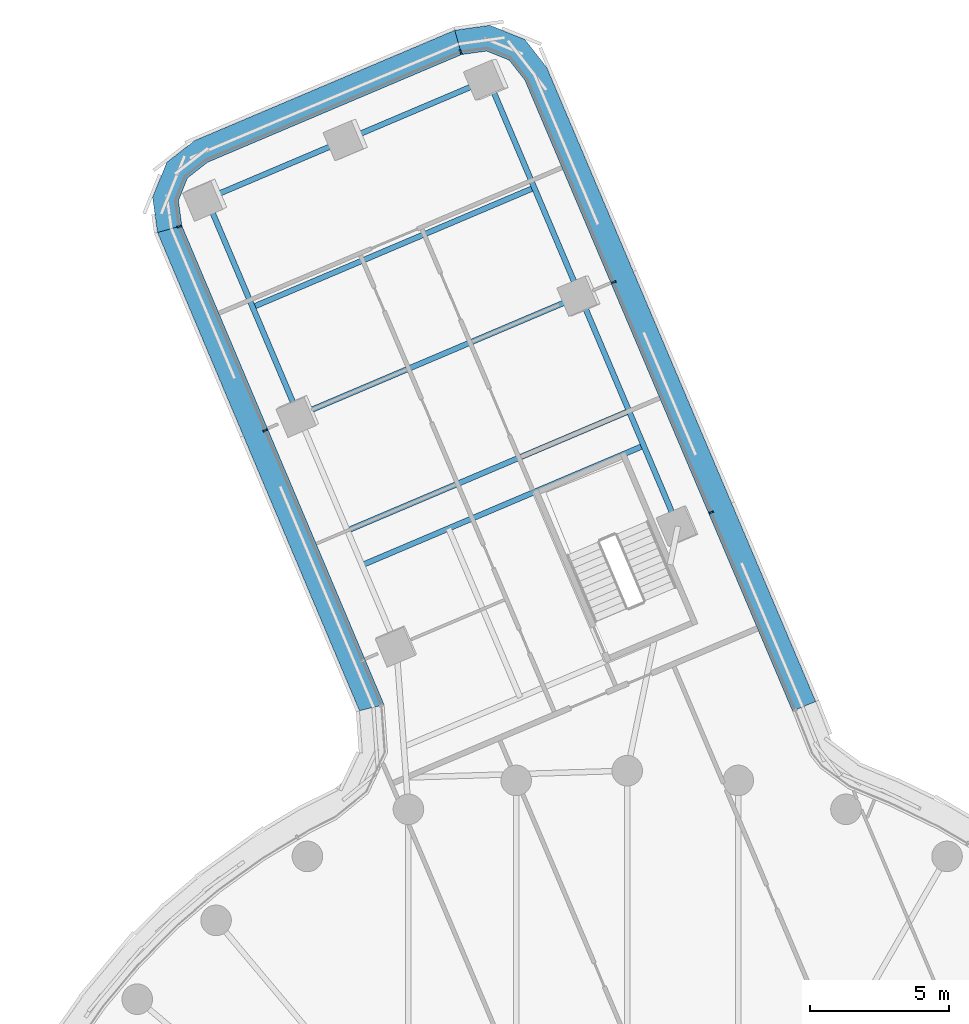
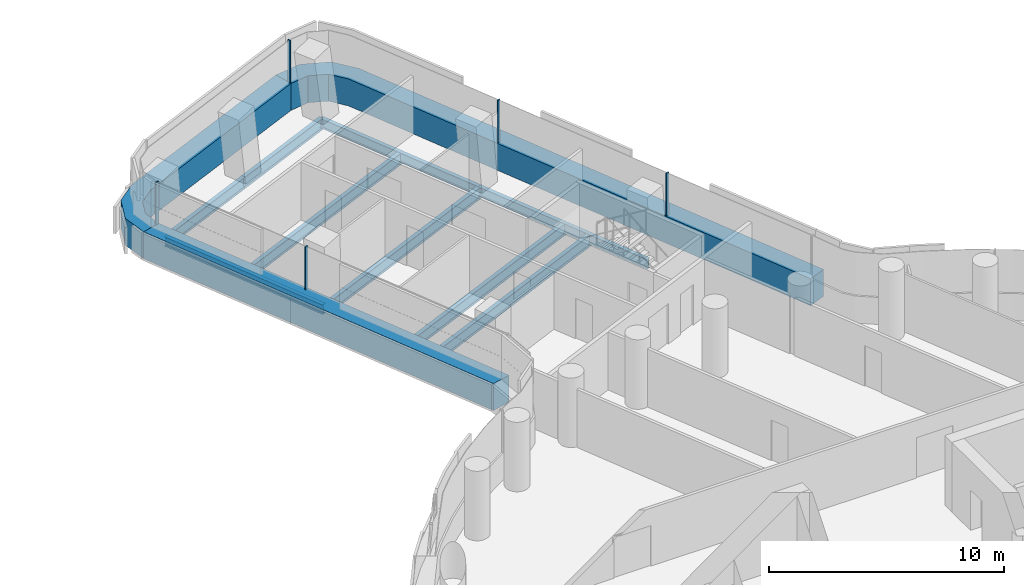
# One storey, part 16 of 35: 9 beams, 8 members, 3 elements without a shape of their own.
"""IFC4 building model written with IfcOpenShell, lengths in metres."""

from ifc_helpers import new_model, si_unit, direction, frame, origin, origin_2d, place, context, subcontext, project, spatial, polyline, rectangle, i_section, outline, extrude, material, layer, layer_set, material_profile, profile_set, type_object, element, aggregate, save


model = new_model("IFC4")

# Units and contexts
model_context = context("Model", 3, precision=1e-05, world=origin(), true_north=direction((0.0, 1.0)))
body_context = subcontext(model_context, "Body", "Model", "MODEL_VIEW")
ifc_project = project(units=[si_unit("LENGTHUNIT", "METRE"), si_unit("AREAUNIT", "SQUARE_METRE"), si_unit("VOLUMEUNIT", "CUBIC_METRE"), si_unit("PLANEANGLEUNIT", "RADIAN"), si_unit("MASSUNIT", "GRAM", prefix="KILO")], contexts=[model_context])

# Site, building, storey
site_placement = place(None, origin())
site = spatial("IfcSite", under=ifc_project, at=site_placement, CompositionType="ELEMENT")
building_placement = place(site_placement, origin())
building = spatial("IfcBuilding", under=site, at=building_placement, Name="Tamarind Cross Interchange Tower", CompositionType="ELEMENT")
storey_placement = place(building_placement, frame((0.0, 0.0, 117.25)))
storey = spatial("IfcBuildingStorey", under=building, at=storey_placement, Name="L28", CompositionType="ELEMENT", Elevation=117.25)

# Beams
ifc_material_1 = material(Name="Steel Q355B", Category="steel")
ifc_material_profile_1 = material_profile(ifc_material_1, i_section(OverallWidth=0.198974609375, OverallDepth=0.49609375, WebThickness=0.009033203125, FlangeThickness=0.013916015625, FilletRadius=0.012939453125, at=origin_2d()), Name="HN 496x199x9x14")
ifc_profile_set_1 = profile_set([ifc_material_profile_1], Name="Steel Q355B")
beam_type_1 = type_object("IfcBeamType", Name="Composite beam HN 496x199x9x14 Q355B", PredefinedType="BEAM", material=ifc_profile_set_1)
beam_1_placement = place(storey_placement, frame((-4.99365234375, 47.856689453125, -0.387939453125), z_axis=(0.390511280317, -0.920598142484, 0.0), x_axis=(0.920598142484, 0.390511280317, 0.0)))
element("IfcBeam", 1, at=beam_1_placement, inside=storey, type_object=beam_type_1, Name="Beam N-edgeem5", PredefinedType="BEAM", context=body_context, shape_type="SweptSolid", body=[
    extrude(i_section(OverallWidth=0.198974609375, OverallDepth=0.49609375, WebThickness=0.009033203125, FlangeThickness=0.013916015625, FilletRadius=0.012939453125, at=origin_2d()), origin(), (0.0, 0.0, 1.0), 8.45361328125),
])
beam_2_placement = place(storey_placement, frame((-1.6923828125, 40.07421875, -0.387939453125), z_axis=(0.390515014713, -0.920596558371, 0.0), x_axis=(0.920596558371, 0.390515014713, 0.0)))
element("IfcBeam", 2, at=beam_2_placement, inside=storey, type_object=beam_type_1, Name="Beam N-edgeem6", PredefinedType="BEAM", context=body_context, shape_type="SweptSolid", body=[
    extrude(i_section(OverallWidth=0.198974609375, OverallDepth=0.49609375, WebThickness=0.009033203125, FlangeThickness=0.013916015625, FilletRadius=0.012939453125, at=origin_2d()), origin(), (0.0, 0.0, 1.0), 9.0),
])
beam_3_placement = place(storey_placement, frame((-15.1201171875, 43.561279296875, -0.387939453125), z_axis=(0.390500898202, -0.920602546435, 0.0), x_axis=(0.920602546435, 0.390500898202, 0.0)))
element("IfcBeam", 3, at=beam_3_placement, inside=storey, type_object=beam_type_1, Name="Beam N-edgeep2", PredefinedType="BEAM", context=body_context, shape_type="SweptSolid", body=[
    extrude(i_section(OverallWidth=0.198974609375, OverallDepth=0.49609375, WebThickness=0.009033203125, FlangeThickness=0.013916015625, FilletRadius=0.012939453125, at=origin_2d()), origin(), (0.0, 0.0, 1.0), 8.453857421875),
])
ifc_material_profile_2 = material_profile(ifc_material_1, i_section(OverallWidth=0.199951171875, OverallDepth=0.60009765625, WebThickness=0.010986328125, FlangeThickness=0.01708984375, FilletRadius=0.012939453125, at=origin_2d()), Name="HN 600x200x11x17")
ifc_profile_set_2 = profile_set([ifc_material_profile_2], Name="Steel Q355B")
beam_type_2 = type_object("IfcBeamType", Name="Composite beam HN 600x200x11x17 Q355B", PredefinedType="BEAM", material=ifc_profile_set_2)
for number, where, z_axis, x_axis, name in (
    (4, (-4.99365234375, 47.856689453125, -0.43994140625), (-0.920603543621, -0.390498547338, 0.0), (0.390498547338, -0.920603543621, 0.0), "Beam N-tip0"),
    (5, (-10.056884765625, 45.708984375, -0.43994140625), (-0.920603543621, -0.390498547338, 0.0), (0.390498547338, -0.920603543621, 0.0), "Beam N-tip1"),
):
    element("IfcBeam", number, at=place(storey_placement, frame(where, z_axis=z_axis, x_axis=x_axis)), inside=storey, type_object=beam_type_2, Name=name, PredefinedType="BEAM", context=body_context, shape_type="SweptSolid", body=[
        extrude(i_section(OverallWidth=0.199951171875, OverallDepth=0.60009765625, WebThickness=0.010986328125, FlangeThickness=0.01708984375, FilletRadius=0.012939453125, at=origin_2d()), origin(), (0.0, 0.0, 1.0), 5.5),
    ])
for number, where, z_axis, x_axis, name in (
    (6, (0.592041015625, 34.688720703125, -0.43994140625), (-0.920595564527, -0.390517357583, 0.0), (0.390517357583, -0.920595564527, 0.0), "Beam N-x334"),
    (7, (-1.6923828125, 40.07421875, -0.43994140625), (-0.920595564527, -0.390517357583, 0.0), (0.390517357583, -0.920595564527, 0.0), "Beam N-x393"),
    (8, (0.06494140625, 35.931396484375, -0.43994140625), (-0.920606928011, -0.390490568515, 0.0), (0.390490568515, -0.920606928011, 0.0), "Beam N-x348"),
    (9, (-3.343017578125, 43.965576171875, -0.43994140625), (-0.920595564527, -0.390517357583, 0.0), (0.390517357583, -0.920595564527, 0.0), "Beam N-x435"),
):
    element("IfcBeam", number, at=place(storey_placement, frame(where, z_axis=z_axis, x_axis=x_axis)), inside=storey, type_object=beam_type_2, Name=name, PredefinedType="BEAM", context=body_context, shape_type="SweptSolid", body=[
        extrude(i_section(OverallWidth=0.199951171875, OverallDepth=0.60009765625, WebThickness=0.010986328125, FlangeThickness=0.01708984375, FilletRadius=0.012939453125, at=origin_2d()), origin(), (0.0, 0.0, 1.0), 11.0),
    ])

# Curtain wall, member
ifc_material_2 = material(Name="Aluminium 6063-T6", Category="aluminium")
ifc_layer = layer(ifc_material_2, 0.159912109375)
ifc_layer_set = layer_set([ifc_layer], Name="Aluminium 6063-T6")
curtain_wall_type = type_object("IfcCurtainWallType", Name="Office curtain wall, 9.0 m bays", PredefinedType="NOTDEFINED", material=ifc_layer_set)
curtain_wall_1_placement = place(storey_placement, origin())
curtain_wall_1 = element("IfcCurtainWall", 10, at=curtain_wall_1_placement, inside=storey, type_object=curtain_wall_type, Name="CWS-L28-11", PredefinedType="NOTDEFINED")
ifc_material_3 = material(Name="Aluminium and insulated spandrel panel", Category="aluminium")
member_type_1 = type_object("IfcMemberType", Name="Floor-edge blade transom", PredefinedType="USERDEFINED", material=ifc_material_3)
member_1_placement = place(storey_placement, origin())
member_1 = element("IfcMember", 11, at=member_1_placement, type_object=member_type_1, Name="CWT-L28-11", ObjectType="TRANSOM", PredefinedType="USERDEFINED", context=body_context, shape_type="SweptSolid", body=[
    extrude(outline(polyline([(5.943603515625, 25.145751953125), (-3.67822265625, 47.82861328125), (-4.241455078125, 48.55029296875), (-5.05224609375, 48.8779296875), (-5.958740234375, 48.750732421875), (-6.201171875, 49.625732421875), (-4.9384765625, 49.802734375), (-3.6806640625, 49.294189453125), (-2.895751953125, 48.289306640625), (6.776611328125, 25.486572265625), (5.943603515625, 25.145751953125)])), origin(), (0.0, 0.0, 1.0), 1.39990234375),
])

curtain_wall_2_placement = place(storey_placement, origin())
curtain_wall_2 = element("IfcCurtainWall", 12, at=curtain_wall_2_placement, inside=storey, type_object=curtain_wall_type, Name="CWS-L28-12", PredefinedType="NOTDEFINED")
member_2_placement = place(storey_placement, origin())
member_2 = element("IfcMember", 13, at=member_2_placement, type_object=member_type_1, Name="CWT-L28-12", ObjectType="TRANSOM", PredefinedType="USERDEFINED", context=body_context, shape_type="SweptSolid", body=[
    extrude(outline(polyline([(-5.958740234375, 48.750732421875), (-15.092041015625, 44.876708984375), (-15.8134765625, 44.313232421875), (-16.141357421875, 43.50244140625), (-16.01416015625, 42.595703125), (-16.88916015625, 42.354248046875), (-17.066162109375, 43.6162109375), (-16.5576171875, 44.874267578125), (-15.552734375, 45.658935546875), (-6.201171875, 49.625732421875), (-5.958740234375, 48.750732421875)])), origin(), (0.0, 0.0, 1.0), 1.39990234375),
])

curtain_wall_3_placement = place(storey_placement, origin())
curtain_wall_3 = element("IfcCurtainWall", 14, at=curtain_wall_3_placement, inside=storey, type_object=curtain_wall_type, Name="CWS-L28-13", PredefinedType="NOTDEFINED")
member_3_placement = place(storey_placement, origin())
member_3 = element("IfcMember", 15, at=member_3_placement, type_object=member_type_1, Name="CWT-L28-13", ObjectType="TRANSOM", PredefinedType="USERDEFINED", context=body_context, shape_type="SweptSolid", body=[
    extrude(outline(polyline([(-16.01416015625, 42.595703125), (-8.741943359375, 25.37060546875), (-9.629150390625, 25.15771484375), (-16.88916015625, 42.354248046875), (-16.01416015625, 42.595703125)])), origin(), (0.0, 0.0, 1.0), 1.39990234375),
])

# Member
ifc_material_profile_3 = material_profile(ifc_material_2, rectangle(XDim=0.06005859375, YDim=0.159912109375, at=origin_2d()), Name="Mullion CW1")
ifc_profile_set_3 = profile_set([ifc_material_profile_3], Name="Aluminium 6063-T6")
member_type_2 = type_object("IfcMemberType", Name="Mullion CW1", PredefinedType="MULLION", material=ifc_profile_set_3)
member_4_placement = place(storey_placement, frame((3.021484375, 32.290283203125, 1.39990234375), z_axis=(0.0, 0.0, 1.0), x_axis=(-0.390499768049, 0.920603025823, 0.0)))
member_4 = element("IfcMember", 16, at=member_4_placement, type_object=member_type_2, Name="CWM-L28-11-01", PredefinedType="MULLION", context=body_context, shape_type="SweptSolid", body=[
    extrude(rectangle(XDim=0.06005859375, YDim=0.159912109375, at=origin_2d()), origin(), (0.0, 0.0, 1.0), 2.210205078125),
])

member_5_placement = place(storey_placement, frame((-0.48876953125, 40.566162109375, 1.39990234375), z_axis=(0.0, 0.0, 1.0), x_axis=(-0.390499768049, 0.920603025823, 0.0)))
member_5 = element("IfcMember", 17, at=member_5_placement, type_object=member_type_2, Name="CWM-L28-11-02", PredefinedType="MULLION", context=body_context, shape_type="SweptSolid", body=[
    extrude(rectangle(XDim=0.06005859375, YDim=0.159912109375, at=origin_2d()), origin(), (0.0, 0.0, 1.0), 2.210205078125),
])

aggregate(curtain_wall_1, [member_4, member_5, member_1])

member_6_placement = place(storey_placement, frame((-5.98583984375, 48.847900390625, 1.39990234375), z_axis=(0.0, 0.0, 1.0), x_axis=(-0.963697587103, -0.266996180892, 0.0)))
member_6 = element("IfcMember", 18, at=member_6_placement, type_object=member_type_2, Name="CWM-L28-12-00", PredefinedType="MULLION", context=body_context, shape_type="SweptSolid", body=[
    extrude(rectangle(XDim=0.06005859375, YDim=0.159912109375, at=origin_2d()), origin(), (0.0, 0.0, 1.0), 2.210205078125),
])

aggregate(curtain_wall_2, [member_6, member_2])

member_7_placement = place(storey_placement, frame((-16.111328125, 42.56884765625, 1.39990234375), z_axis=(0.0, 0.0, 1.0), x_axis=(0.266179307155, -0.963923532466, 0.0)))
member_7 = element("IfcMember", 19, at=member_7_placement, type_object=member_type_2, Name="CWM-L28-13-00", PredefinedType="MULLION", context=body_context, shape_type="SweptSolid", body=[
    extrude(rectangle(XDim=0.06005859375, YDim=0.159912109375, at=origin_2d()), origin(), (0.0, 0.0, 1.0), 2.210205078125),
])

member_8_placement = place(storey_placement, frame((-13.0166015625, 35.238525390625, 1.39990234375), z_axis=(0.0, 0.0, 1.0), x_axis=(0.388938701154, -0.921263635853, 0.0)))
member_8 = element("IfcMember", 20, at=member_8_placement, type_object=member_type_2, Name="CWM-L28-13-01", PredefinedType="MULLION", context=body_context, shape_type="SweptSolid", body=[
    extrude(rectangle(XDim=0.06005859375, YDim=0.159912109375, at=origin_2d()), origin(), (0.0, 0.0, 1.0), 2.210205078125),
])

aggregate(curtain_wall_3, [member_7, member_8, member_3])

save(model, "model.ifc")
